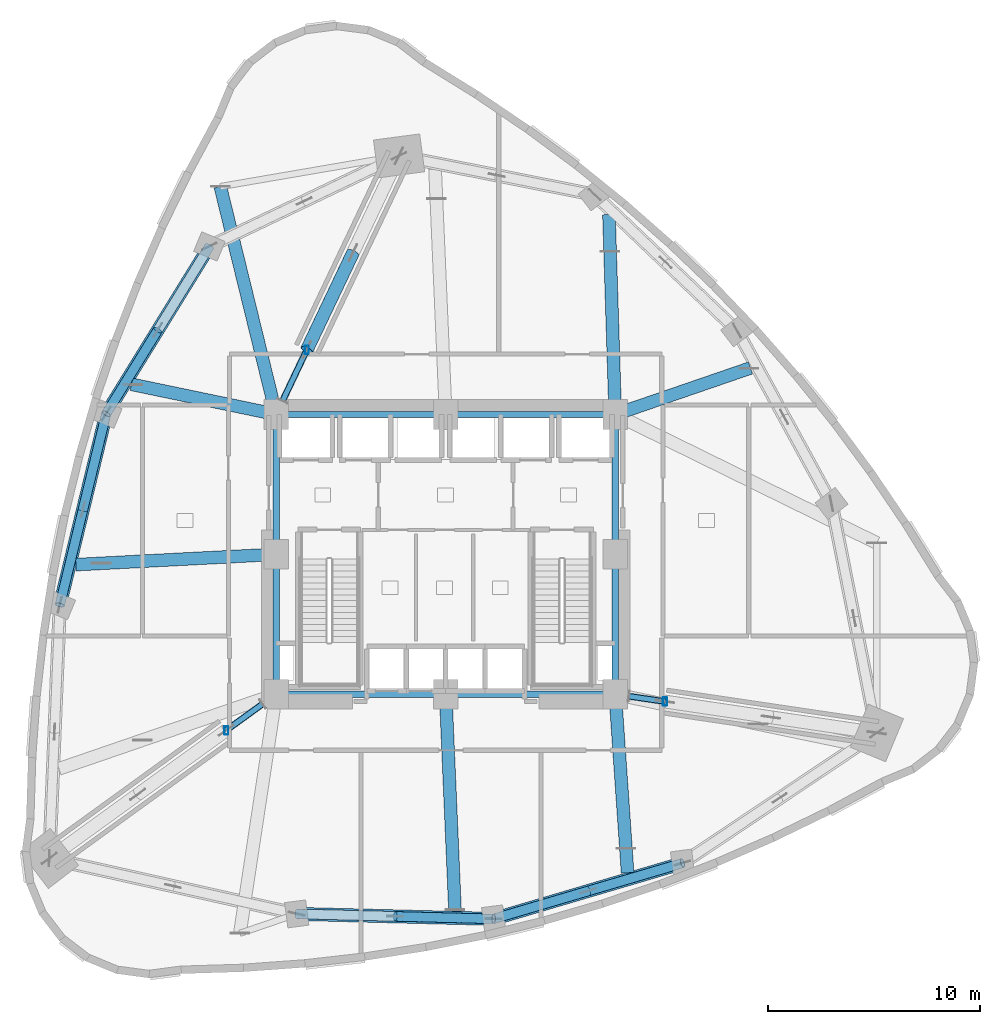
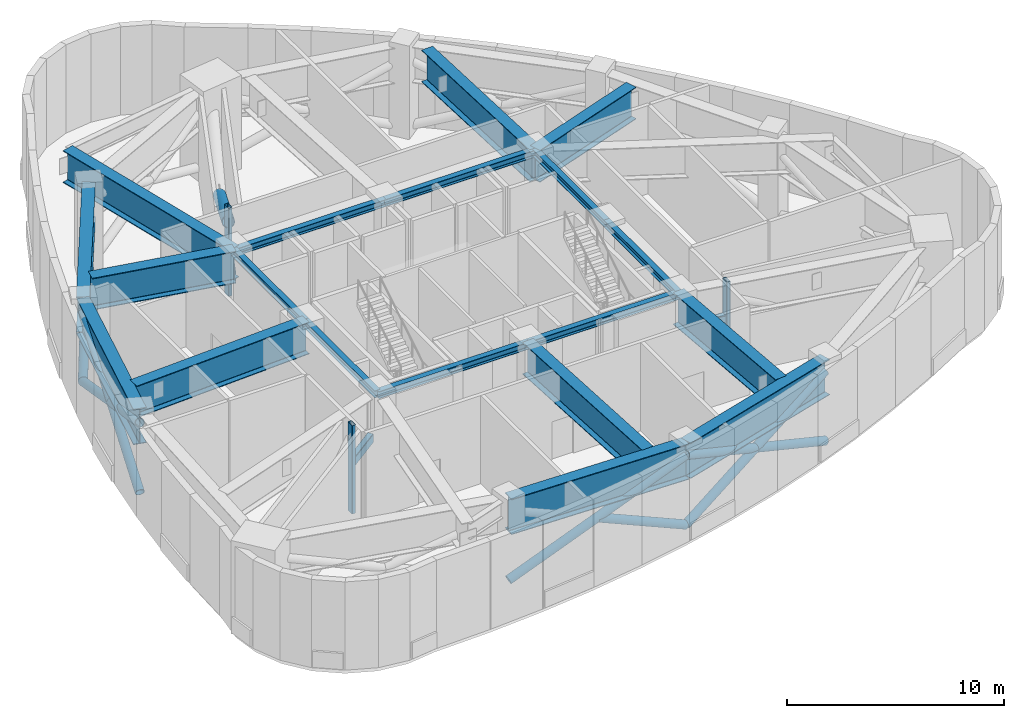
# One storey, part 2 of 13: 19 beams, 17 members.
"""IFC4 building model written with IfcOpenShell, lengths in metres."""

from ifc_helpers import new_model, si_unit, direction, frame, origin, origin_2d, place, context, subcontext, project, spatial, hollow_rectangle, hollow_circle, i_section, extrude, material, material_profile, profile_set, type_object, element, save


model = new_model("IFC4")

# Units and contexts
model_context = context("Model", 3, precision=1e-05, world=origin(), true_north=direction((0.0, 1.0)))
body_context = subcontext(model_context, "Body", "Model", "MODEL_VIEW")
ifc_project = project(units=[si_unit("LENGTHUNIT", "METRE"), si_unit("AREAUNIT", "SQUARE_METRE"), si_unit("VOLUMEUNIT", "CUBIC_METRE"), si_unit("PLANEANGLEUNIT", "RADIAN"), si_unit("MASSUNIT", "GRAM", prefix="KILO")], contexts=[model_context])

# Site, building, storey
site_placement = place(None, origin())
site = spatial("IfcSite", under=ifc_project, at=site_placement, CompositionType="ELEMENT")
building_placement = place(site_placement, origin())
building = spatial("IfcBuilding", under=site, at=building_placement, Name="Ndelora Gate Hotel", CompositionType="ELEMENT")
storey_placement = place(building_placement, frame((0.0, 0.0, 83.0)))
storey = spatial("IfcBuildingStorey", under=building, at=storey_placement, Name="L20", CompositionType="ELEMENT", Elevation=83.0)

# Beams
ifc_material_1 = material(Name="Steel S355", Category="steel")
ifc_material_profile_1 = material_profile(ifc_material_1, i_section(OverallWidth=0.300048828125, OverallDepth=0.39990234375, WebThickness=0.013427734375, FlangeThickness=0.02392578125, FilletRadius=0.027099609375, at=origin_2d()), Name="HEB 400")
ifc_profile_set_1 = profile_set([ifc_material_profile_1], Name="Steel S355")
beam_type_1 = type_object("IfcBeamType", Name="BM-CORE-400", PredefinedType="BEAM", material=ifc_profile_set_1)
for number, where, z_axis, x_axis, name in (
    (1, (-8.0, 6.60009765625, 4.760009765625), (1.0, 0.0, 0.0), (0.0, 1.0, 0.0), "L20 Core Tie Girder CC7-CC6"),
    (2, (0.0, 6.60009765625, 4.760009765625), (1.0, 0.0, 0.0), (0.0, 1.0, 0.0), "L20 Core Tie Girder CC6-CC5"),
):
    element("IfcBeam", number, at=place(storey_placement, frame(where, z_axis=z_axis, x_axis=x_axis)), inside=storey, type_object=beam_type_1, Name=name, PredefinedType="BEAM", context=body_context, shape_type="SweptSolid", body=[
        extrude(i_section(OverallWidth=0.300048828125, OverallDepth=0.39990234375, WebThickness=0.013427734375, FlangeThickness=0.02392578125, FilletRadius=0.027099609375, at=origin_2d()), origin(), (0.0, 0.0, 1.0), 8.0),
    ])
for number, where, z_axis, x_axis, name in (
    (3, (-8.0, -6.60009765625, 4.760009765625), (0.0, 1.0, 0.0), (-1.0, 0.0, 0.0), "L20 Core Tie Girder CC1-CC8"),
    (4, (-8.0, 0.0, 4.760009765625), (0.0, 1.0, 0.0), (-1.0, 0.0, 0.0), "L20 Core Tie Girder CC8-CC7"),
    (5, (8.0, -6.60009765625, 4.760009765625), (0.0, 1.0, 0.0), (-1.0, 0.0, 0.0), "L20 Core Tie Girder CC3-CC4"),
    (6, (8.0, 0.0, 4.760009765625), (0.0, 1.0, 0.0), (-1.0, 0.0, 0.0), "L20 Core Tie Girder CC4-CC5"),
):
    element("IfcBeam", number, at=place(storey_placement, frame(where, z_axis=z_axis, x_axis=x_axis)), inside=storey, type_object=beam_type_1, Name=name, PredefinedType="BEAM", context=body_context, shape_type="SweptSolid", body=[
        extrude(i_section(OverallWidth=0.300048828125, OverallDepth=0.39990234375, WebThickness=0.013427734375, FlangeThickness=0.02392578125, FilletRadius=0.027099609375, at=origin_2d()), origin(), (0.0, 0.0, 1.0), 6.60009765625),
    ])
for number, where, z_axis, x_axis, name in (
    (7, (-8.0, -6.60009765625, 4.760009765625), (1.0, 0.0, 0.0), (0.0, 1.0, 0.0), "L20 Core Tie Girder CC1-CC2"),
    (8, (0.0, -6.60009765625, 4.760009765625), (1.0, 0.0, 0.0), (0.0, 1.0, 0.0), "L20 Core Tie Girder CC2-CC3"),
):
    element("IfcBeam", number, at=place(storey_placement, frame(where, z_axis=z_axis, x_axis=x_axis)), inside=storey, type_object=beam_type_1, Name=name, PredefinedType="BEAM", context=body_context, shape_type="SweptSolid", body=[
        extrude(i_section(OverallWidth=0.300048828125, OverallDepth=0.39990234375, WebThickness=0.013427734375, FlangeThickness=0.02392578125, FilletRadius=0.027099609375, at=origin_2d()), origin(), (0.0, 0.0, 1.0), 8.0),
    ])
ifc_material_2 = material(Name="Steel S460", Category="steel")
ifc_material_profile_2 = material_profile(ifc_material_2, i_section(OverallWidth=0.60009765625, OverallDepth=1.800048828125, WebThickness=0.028076171875, FlangeThickness=0.0400390625, FilletRadius=0.02392578125, at=origin_2d()), Name="PG 1800x600x40")
ifc_profile_set_2 = profile_set([ifc_material_profile_2], Name="Steel S460")
beam_type_2 = type_object("IfcBeamType", Name="BM-TR-1800", PredefinedType="BEAM", material=ifc_profile_set_2)
beam_1_placement = place(storey_placement, frame((-8.0, 6.60009765625, 4.06005859375), z_axis=(-0.237888262771, 0.971292527736, 0.0), x_axis=(-0.971292527736, -0.237888262771, 0.0)))
element("IfcBeam", 9, at=beam_1_placement, inside=storey, type_object=beam_type_2, Name="L20 Setback Two-Support Radial Transfer Girder 1", PredefinedType="BEAM", context=body_context, shape_type="SweptSolid", body=[
    extrude(i_section(OverallWidth=0.60009765625, OverallDepth=1.800048828125, WebThickness=0.028076171875, FlangeThickness=0.0400390625, FilletRadius=0.02392578125, at=origin_2d()), origin(), (0.0, 0.0, 1.0), 11.069580078125),
])
beam_2_placement = place(storey_placement, frame((-8.0, 6.60009765625, 4.06005859375), z_axis=(-0.978953039789, 0.204085633715, 0.0), x_axis=(-0.204085633715, -0.978953039789, 0.0)))
element("IfcBeam", 10, at=beam_2_placement, inside=storey, type_object=beam_type_2, Name="L20 Setback Two-Support Radial Transfer Girder 4", PredefinedType="BEAM", context=body_context, shape_type="SweptSolid", body=[
    extrude(i_section(OverallWidth=0.60009765625, OverallDepth=1.800048828125, WebThickness=0.028076171875, FlangeThickness=0.0400390625, FilletRadius=0.02392578125, at=origin_2d()), origin(), (0.0, 0.0, 1.0), 6.975341796875),
])
beam_3_placement = place(storey_placement, frame((-8.0, 0.0, 4.06005859375), z_axis=(-0.998672594079, -0.051507764801, 0.0), x_axis=(0.051507764801, -0.998672594079, 0.0)))
element("IfcBeam", 11, at=beam_3_placement, inside=storey, type_object=beam_type_2, Name="L20 Setback Two-Support Radial Transfer Girder 5", PredefinedType="BEAM", context=body_context, shape_type="SweptSolid", body=[
    extrude(i_section(OverallWidth=0.60009765625, OverallDepth=1.800048828125, WebThickness=0.028076171875, FlangeThickness=0.0400390625, FilletRadius=0.02392578125, at=origin_2d()), origin(), (0.0, 0.0, 1.0), 9.460693359375),
])
beam_4_placement = place(storey_placement, frame((0.0, -6.60009765625, 4.06005859375), z_axis=(0.043117283005, -0.999070017519, 0.0), x_axis=(0.999070017519, 0.043117283005, 0.0)))
element("IfcBeam", 12, at=beam_4_placement, inside=storey, type_object=beam_type_2, Name="L20 Setback Two-Support Radial Transfer Girder 7", PredefinedType="BEAM", context=body_context, shape_type="SweptSolid", body=[
    extrude(i_section(OverallWidth=0.60009765625, OverallDepth=1.800048828125, WebThickness=0.028076171875, FlangeThickness=0.0400390625, FilletRadius=0.02392578125, at=origin_2d()), origin(), (0.0, 0.0, 1.0), 10.265625),
])
beam_5_placement = place(storey_placement, frame((8.0, -6.60009765625, 4.06005859375), z_axis=(0.069164985014, -0.997605234974, 0.0), x_axis=(0.997605234974, 0.069164985014, 0.0)))
element("IfcBeam", 13, at=beam_5_placement, inside=storey, type_object=beam_type_2, Name="L20 Setback Two-Support Radial Transfer Girder 8", PredefinedType="BEAM", context=body_context, shape_type="SweptSolid", body=[
    extrude(i_section(OverallWidth=0.60009765625, OverallDepth=1.800048828125, WebThickness=0.028076171875, FlangeThickness=0.0400390625, FilletRadius=0.02392578125, at=origin_2d()), origin(), (0.0, 0.0, 1.0), 8.450439453125),
])
beam_6_placement = place(storey_placement, frame((8.0, 6.60009765625, 4.06005859375), z_axis=(0.945725538636, 0.324966468381, 0.0), x_axis=(-0.324966468381, 0.945725538636, 0.0)))
element("IfcBeam", 14, at=beam_6_placement, inside=storey, type_object=beam_type_2, Name="L20 Setback Two-Support Radial Transfer Girder 10", PredefinedType="BEAM", context=body_context, shape_type="SweptSolid", body=[
    extrude(i_section(OverallWidth=0.60009765625, OverallDepth=1.800048828125, WebThickness=0.028076171875, FlangeThickness=0.0400390625, FilletRadius=0.02392578125, at=origin_2d()), origin(), (0.0, 0.0, 1.0), 6.744873046875),
])
beam_7_placement = place(storey_placement, frame((8.0, 6.60009765625, 4.06005859375), z_axis=(-0.031310690653, 0.999509700128, 0.0), x_axis=(-0.999509700128, -0.031310690653, 0.0)))
element("IfcBeam", 15, at=beam_7_placement, inside=storey, type_object=beam_type_2, Name="L20 Setback Two-Support Radial Transfer Girder 11", PredefinedType="BEAM", context=body_context, shape_type="SweptSolid", body=[
    extrude(i_section(OverallWidth=0.60009765625, OverallDepth=1.800048828125, WebThickness=0.028076171875, FlangeThickness=0.0400390625, FilletRadius=0.02392578125, at=origin_2d()), origin(), (0.0, 0.0, 1.0), 9.434814453125),
])
ifc_material_profile_3 = material_profile(ifc_material_2, i_section(OverallWidth=0.6201171875, OverallDepth=2.0, WebThickness=0.028076171875, FlangeThickness=0.0400390625, FilletRadius=0.02392578125, at=origin_2d()), Name="PG 2000x620x40")
ifc_profile_set_3 = profile_set([ifc_material_profile_3], Name="Steel S460")
beam_type_3 = type_object("IfcBeamType", Name="BM-TR-2000", PredefinedType="BEAM", material=ifc_profile_set_3)
beam_8_placement = place(storey_placement, frame((-11.1484375, 14.529052734375, 3.9599609375), z_axis=(-0.524897602516, -0.851165381623, 0.0), x_axis=(0.851165381623, -0.524897602516, 0.0)))
element("IfcBeam", 16, at=beam_8_placement, inside=storey, type_object=beam_type_3, Name="L20 Belt Truss Top Chord Girder 2", PredefinedType="BEAM", context=body_context, shape_type="SweptSolid", body=[
    extrude(i_section(OverallWidth=0.6201171875, OverallDepth=2.0, WebThickness=0.028076171875, FlangeThickness=0.0400390625, FilletRadius=0.02392578125, at=origin_2d()), origin(), (0.0, 0.0, 1.0), 9.27490234375),
])
beam_9_placement = place(storey_placement, frame((-16.016845703125, 6.634521484375, 3.9599609375), z_axis=(-0.235699273714, -0.971826040179, 0.0), x_axis=(0.971826040179, -0.235699273714, 0.0)))
element("IfcBeam", 17, at=beam_9_placement, inside=storey, type_object=beam_type_3, Name="L20 Belt Truss Top Chord Girder 3", PredefinedType="BEAM", context=body_context, shape_type="SweptSolid", body=[
    extrude(i_section(OverallWidth=0.6201171875, OverallDepth=2.0, WebThickness=0.028076171875, FlangeThickness=0.0400390625, FilletRadius=0.02392578125, at=origin_2d()), origin(), (0.0, 0.0, 1.0), 9.293212890625),
])
beam_10_placement = place(storey_placement, frame((-7.027587890625, -16.96630859375, 3.9599609375), z_axis=(0.999679406439, -0.025319643409, 0.0), x_axis=(0.025319643409, 0.999679406439, 0.0)))
element("IfcBeam", 18, at=beam_10_placement, inside=storey, type_object=beam_type_3, Name="L20 Belt Truss Top Chord Girder 6", PredefinedType="BEAM", context=body_context, shape_type="SweptSolid", body=[
    extrude(i_section(OverallWidth=0.6201171875, OverallDepth=2.0, WebThickness=0.028076171875, FlangeThickness=0.0400390625, FilletRadius=0.02392578125, at=origin_2d()), origin(), (0.0, 0.0, 1.0), 9.295166015625),
])
beam_11_placement = place(storey_placement, frame((2.2646484375, -17.20166015625, 3.9599609375), z_axis=(0.959064248316, 0.283188572514, 0.0), x_axis=(-0.283188572514, 0.959064248316, 0.0)))
element("IfcBeam", 19, at=beam_11_placement, inside=storey, type_object=beam_type_3, Name="L20 Belt Truss Top Chord Girder 7", PredefinedType="BEAM", context=body_context, shape_type="SweptSolid", body=[
    extrude(i_section(OverallWidth=0.6201171875, OverallDepth=2.0, WebThickness=0.028076171875, FlangeThickness=0.0400390625, FilletRadius=0.02392578125, at=origin_2d()), origin(), (0.0, 0.0, 1.0), 9.29541015625),
])

# Members
ifc_material_profile_4 = material_profile(ifc_material_2, hollow_circle(Radius=0.228515625, WallThickness=0.02490234375, at=origin_2d()), Name="CHS 457x25")
ifc_profile_set_4 = profile_set([ifc_material_profile_4], Name="Steel S460")
member_type_1 = type_object("IfcMemberType", Name="MB-BELT-457", PredefinedType="BRACE", material=ifc_profile_set_4)
member_1_placement = place(storey_placement, frame((-11.1484375, 14.529052734375, 0.239990234375), z_axis=(-0.483490216056, -0.784019839847, 0.389294363823), x_axis=(0.851165381623, -0.524897602516, 0.0)))
element("IfcMember", 20, at=member_1_placement, inside=storey, type_object=member_type_1, Name="L20 Storey-Deep Belt Truss Continuous Diagonal 2A", PredefinedType="BRACE", context=body_context, shape_type="SweptSolid", body=[
    extrude(hollow_circle(Radius=0.228515625, WallThickness=0.02490234375, at=origin_2d()), origin(), (0.0, 0.0, 1.0), 10.0693359375),
])
member_2_placement = place(storey_placement, frame((-16.016845703125, 6.634521484375, 0.239990234375), z_axis=(0.483471637514, 0.784029030624, 0.389298927378), x_axis=(-0.851177141812, 0.524878531907, 0.0)))
element("IfcMember", 21, at=member_2_placement, inside=storey, type_object=member_type_1, Name="L20 Storey-Deep Belt Truss Split Diagonal 2B-Lower", PredefinedType="BRACE", context=body_context, shape_type="SweptSolid", body=[
    extrude(hollow_circle(Radius=0.228515625, WallThickness=0.02490234375, at=origin_2d()), origin(), (0.0, 0.0, 1.0), 5.03466796875),
])
member_3_placement = place(storey_placement, frame((-16.016845703125, 6.634521484375, 0.239990234375), z_axis=(-0.217170714217, -0.895429807294, 0.388641661555), x_axis=(0.971826040179, -0.235699273714, 0.0)))
element("IfcMember", 22, at=member_3_placement, inside=storey, type_object=member_type_1, Name="L20 Storey-Deep Belt Truss Continuous Diagonal 3A", PredefinedType="BRACE", context=body_context, shape_type="SweptSolid", body=[
    extrude(hollow_circle(Radius=0.228515625, WallThickness=0.02490234375, at=origin_2d()), origin(), (0.0, 0.0, 1.0), 10.086181640625),
])
member_4_placement = place(storey_placement, frame((-18.207275390625, -2.39697265625, 0.239990234375), z_axis=(0.217175421313, 0.895425009498, 0.388650085221), x_axis=(-0.971824580686, 0.235705291358, 0.0)))
element("IfcMember", 23, at=member_4_placement, inside=storey, type_object=member_type_1, Name="L20 Storey-Deep Belt Truss Split Diagonal 3B-Lower", PredefinedType="BRACE", context=body_context, shape_type="SweptSolid", body=[
    extrude(hollow_circle(Radius=0.228515625, WallThickness=0.02490234375, at=origin_2d()), origin(), (0.0, 0.0, 1.0), 5.04296875),
])
member_5_placement = place(storey_placement, frame((-17.112060546875, 2.11865234375, 2.199951171875), z_axis=(0.2171660073, 0.895434604777, 0.388633238209), x_axis=(-0.971827499561, 0.235693256368, 0.0)))
element("IfcMember", 24, at=member_5_placement, inside=storey, type_object=member_type_1, Name="L20 Storey-Deep Belt Truss Split Diagonal 3B-Upper", PredefinedType="BRACE", context=body_context, shape_type="SweptSolid", body=[
    extrude(hollow_circle(Radius=0.228515625, WallThickness=0.02490234375, at=origin_2d()), origin(), (0.0, 0.0, 1.0), 5.043212890625),
])
member_6_placement = place(storey_placement, frame((-7.027587890625, -16.96630859375, 0.239990234375), z_axis=(0.921121915235, -0.023329957865, 0.388574484932), x_axis=(0.025319643409, 0.999679406439, 0.0)))
element("IfcMember", 25, at=member_6_placement, inside=storey, type_object=member_type_1, Name="L20 Storey-Deep Belt Truss Continuous Diagonal 6A", PredefinedType="BRACE", context=body_context, shape_type="SweptSolid", body=[
    extrude(hollow_circle(Radius=0.228515625, WallThickness=0.02490234375, at=origin_2d()), origin(), (0.0, 0.0, 1.0), 10.087890625),
])
member_7_placement = place(storey_placement, frame((2.2646484375, -17.20166015625, 0.239990234375), z_axis=(-0.921125582427, 0.023329437798, 0.388565822906), x_axis=(-0.025318978615, -0.999679423276, 0.0)))
element("IfcMember", 26, at=member_7_placement, inside=storey, type_object=member_type_1, Name="L20 Storey-Deep Belt Truss Split Diagonal 6B-Lower", PredefinedType="BRACE", context=body_context, shape_type="SweptSolid", body=[
    extrude(hollow_circle(Radius=0.228515625, WallThickness=0.02490234375, at=origin_2d()), origin(), (0.0, 0.0, 1.0), 5.044189453125),
])
member_8_placement = place(storey_placement, frame((2.2646484375, -17.20166015625, 0.239990234375), z_axis=(0.883699681575, 0.260935231186, 0.388571329245), x_axis=(-0.283188572514, 0.959064248316, 0.0)))
element("IfcMember", 27, at=member_8_placement, inside=storey, type_object=member_type_1, Name="L20 Storey-Deep Belt Truss Continuous Diagonal 7A", PredefinedType="BRACE", context=body_context, shape_type="SweptSolid", body=[
    extrude(hollow_circle(Radius=0.228515625, WallThickness=0.02490234375, at=origin_2d()), origin(), (0.0, 0.0, 1.0), 10.088134765625),
])
member_9_placement = place(storey_placement, frame((11.179443359375, -14.5693359375, 0.239990234375), z_axis=(-0.883694379573, -0.260940811759, 0.388579639547), x_axis=(0.283195706139, -0.959062141899, 0.0)))
element("IfcMember", 28, at=member_9_placement, inside=storey, type_object=member_type_1, Name="L20 Storey-Deep Belt Truss Split Diagonal 7B-Lower", PredefinedType="BRACE", context=body_context, shape_type="SweptSolid", body=[
    extrude(hollow_circle(Radius=0.228515625, WallThickness=0.02490234375, at=origin_2d()), origin(), (0.0, 0.0, 1.0), 5.0439453125),
])
member_10_placement = place(storey_placement, frame((6.72216796875, -15.885498046875, 2.199951171875), z_axis=(-0.883704983237, -0.260929650818, 0.388563019248), x_axis=(0.283181439232, -0.959066354573, 0.0)))
element("IfcMember", 29, at=member_10_placement, inside=storey, type_object=member_type_1, Name="L20 Storey-Deep Belt Truss Split Diagonal 7B-Upper", PredefinedType="BRACE", context=body_context, shape_type="SweptSolid", body=[
    extrude(hollow_circle(Radius=0.228515625, WallThickness=0.02490234375, at=origin_2d()), origin(), (0.0, 0.0, 1.0), 5.044189453125),
])
ifc_material_profile_5 = material_profile(ifc_material_2, hollow_circle(Radius=0.304931640625, WallThickness=0.031982421875, at=origin_2d()), Name="CHS 610x32")
ifc_profile_set_5 = profile_set([ifc_material_profile_5], Name="Steel S460")
member_type_2 = type_object("IfcMemberType", Name="MB-OUT-610", PredefinedType="BRACE", material=ifc_profile_set_5)
member_11_placement = place(storey_placement, frame((-6.550048828125, 9.64990234375, 4.06005859375), z_axis=(0.398543326901, 0.838332242241, -0.371970789447), x_axis=(-0.903137374484, 0.429351700602, 0.0)))
element("IfcMember", 30, at=member_11_placement, inside=storey, type_object=member_type_2, Name="L20 Core-to-Mega-Column Outrigger Split Arm 1B-Upper", PredefinedType="BRACE", context=body_context, shape_type="SweptSolid", body=[
    extrude(hollow_circle(Radius=0.304931640625, WallThickness=0.031982421875, at=origin_2d()), origin(), (0.0, 0.0, 1.0), 5.45751953125),
])
ifc_material_profile_6 = material_profile(ifc_material_1, hollow_rectangle(XDim=0.199951171875, YDim=0.39990234375, WallThickness=0.01611328125, InnerFilletRadius=0.01611328125, OuterFilletRadius=0.031982421875, at=origin_2d()), Name="RHS 400x200x16")
ifc_profile_set_6 = profile_set([ifc_material_profile_6], Name="Steel S355")
member_type_3 = type_object("IfcMemberType", Name="MB-POST-400", PredefinedType="POST", material=ifc_profile_set_6)
for number, where, z_axis, x_axis, name in (
    (31, (-6.550048828125, 9.64990234375, 0.0), (0.0, 0.0, 1.0), (1.0, 0.0, 0.0), "L20 Outrigger Spine Vertical Post 1"),
    (32, (-10.35009765625, -8.302001953125, 0.0), (0.0, 0.0, 1.0), (1.0, 0.0, 0.0), "L20 Outrigger Spine Vertical Post 2"),
    (33, (10.35009765625, -6.947998046875, 0.0), (0.0, 0.0, 1.0), (1.0, 0.0, 0.0), "L20 Outrigger Spine Vertical Post 3"),
):
    element("IfcMember", number, at=place(storey_placement, frame(where, z_axis=z_axis, x_axis=x_axis)), inside=storey, type_object=member_type_3, Name=name, PredefinedType="POST", context=body_context, shape_type="SweptSolid", body=[
        extrude(hollow_rectangle(XDim=0.199951171875, YDim=0.39990234375, WallThickness=0.01611328125, InnerFilletRadius=0.01611328125, OuterFilletRadius=0.031982421875, at=origin_2d()), origin(), (0.0, 0.0, 1.0), 4.9599609375),
    ])
ifc_material_profile_7 = material_profile(ifc_material_2, hollow_rectangle(XDim=0.300048828125, YDim=0.5, WallThickness=0.02001953125, InnerFilletRadius=0.02001953125, OuterFilletRadius=0.0400390625, at=origin_2d()), Name="RHS 500x300x20")
ifc_profile_set_7 = profile_set([ifc_material_profile_7], Name="Steel S460")
member_type_4 = type_object("IfcMemberType", Name="MB-STRUT-500", PredefinedType="STRUT", material=ifc_profile_set_7)
member_12_placement = place(storey_placement, frame((-7.69580078125, 7.239990234375, 2.800048828125), z_axis=(0.429375916323, 0.903125861927, 0.0), x_axis=(-0.903125861927, 0.429375916323, 0.0)))
element("IfcMember", 34, at=member_12_placement, inside=storey, type_object=member_type_4, Name="L20 Outrigger Overhead Corridor Tie Strut 1", PredefinedType="STRUT", context=body_context, shape_type="SweptSolid", body=[
    extrude(hollow_rectangle(XDim=0.300048828125, YDim=0.5, WallThickness=0.02001953125, InnerFilletRadius=0.02001953125, OuterFilletRadius=0.0400390625, at=origin_2d()), origin(), (0.0, 0.0, 1.0), 2.66845703125),
])
member_13_placement = place(storey_placement, frame((-8.639892578125, -7.0634765625, 2.800048828125), z_axis=(-0.809919393722, -0.58654119691, 0.0), x_axis=(0.58654119691, -0.809919393722, 0.0)))
element("IfcMember", 35, at=member_13_placement, inside=storey, type_object=member_type_4, Name="L20 Outrigger Overhead Corridor Tie Strut 2", PredefinedType="STRUT", context=body_context, shape_type="SweptSolid", body=[
    extrude(hollow_rectangle(XDim=0.300048828125, YDim=0.5, WallThickness=0.02001953125, InnerFilletRadius=0.02001953125, OuterFilletRadius=0.0400390625, at=origin_2d()), origin(), (0.0, 0.0, 1.0), 2.111572265625),
])
member_14_placement = place(storey_placement, frame((8.639892578125, -6.69482421875, 2.800048828125), z_axis=(0.989219378877, -0.146441184282, 0.0), x_axis=(0.146441184282, 0.989219378877, 0.0)))
element("IfcMember", 36, at=member_14_placement, inside=storey, type_object=member_type_4, Name="L20 Outrigger Overhead Corridor Tie Strut 3", PredefinedType="STRUT", context=body_context, shape_type="SweptSolid", body=[
    extrude(hollow_rectangle(XDim=0.300048828125, YDim=0.5, WallThickness=0.02001953125, InnerFilletRadius=0.02001953125, OuterFilletRadius=0.0400390625, at=origin_2d()), origin(), (0.0, 0.0, 1.0), 1.728759765625),
])

save(model, "model.ifc")
